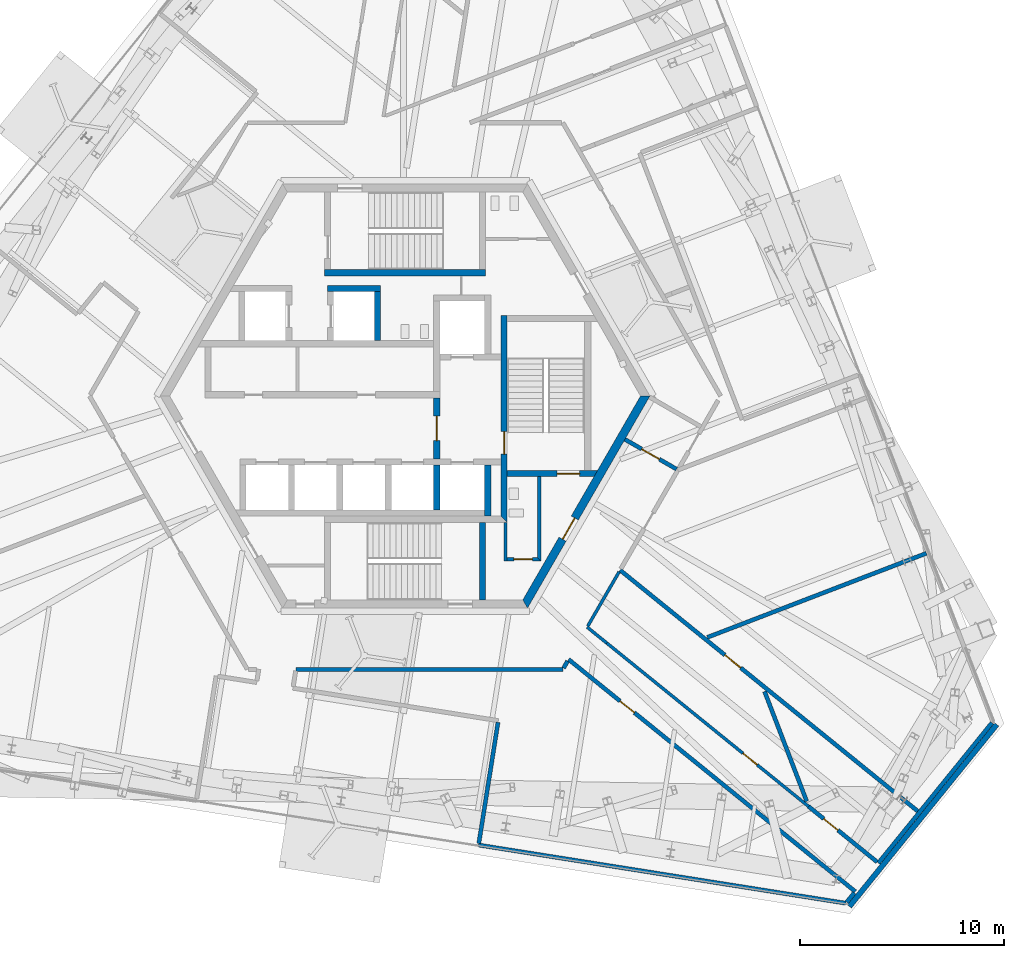
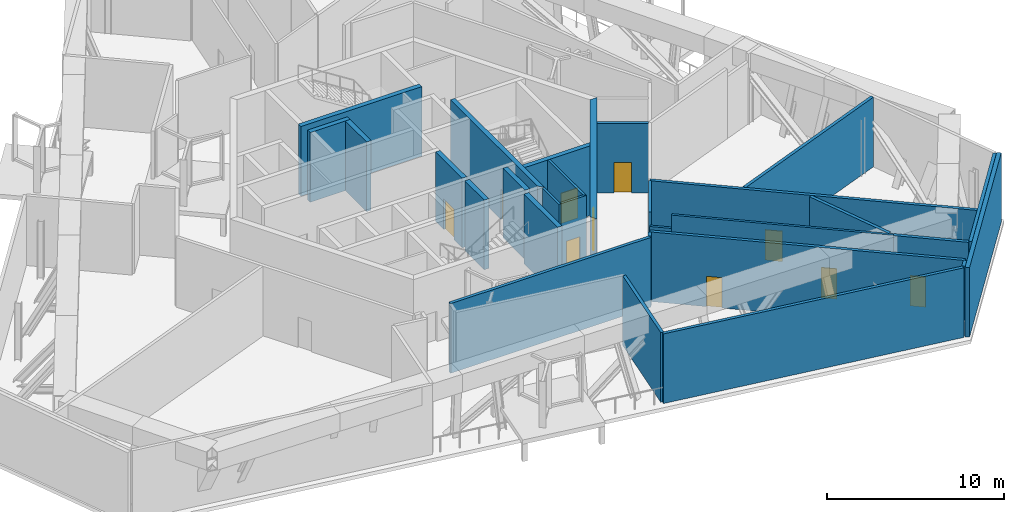
# One storey, part 9 of 14: 29 walls, 10 doors, 10 openings.
"""IFC4 building model written with IfcOpenShell, lengths in metres."""

from ifc_helpers import new_model, si_unit, direction, frame, frame_2d, origin, place, context, subcontext, project, spatial, polyline, rectangle, outline, extrude, source, transform, mapped, material, layer, layer_set, type_object, element, fill, save


model = new_model("IFC4")

# Units and contexts
model_context = context("Model", 3, precision=1e-05, world=origin(), true_north=direction((0.0, 1.0)))
body_context = subcontext(model_context, "Body", "Model", "MODEL_VIEW")
ifc_project = project(units=[si_unit("LENGTHUNIT", "METRE"), si_unit("AREAUNIT", "SQUARE_METRE"), si_unit("VOLUMEUNIT", "CUBIC_METRE"), si_unit("PLANEANGLEUNIT", "RADIAN"), si_unit("MASSUNIT", "GRAM", prefix="KILO")], contexts=[model_context])

# Site, building, storey
site_placement = place(None, origin())
site = spatial("IfcSite", under=ifc_project, at=site_placement, CompositionType="ELEMENT")
building_placement = place(site_placement, origin())
building = spatial("IfcBuilding", under=site, at=building_placement, Name="Triune Harvest Tower", CompositionType="ELEMENT")
storey_placement = place(building_placement, frame((0.0, 0.0, 174.925048828125)))
storey = spatial("IfcBuildingStorey", under=building, at=storey_placement, Name="L45", CompositionType="ELEMENT", Elevation=174.925048828125)

# Wall, opening, door
ifc_material_1 = material(Name="Concrete masonry unit", Category="masonry")
ifc_layer_1 = layer(ifc_material_1, 0.14990234375)
ifc_layer_set_1 = layer_set([ifc_layer_1], Name="Concrete masonry unit")
wall_type_1 = type_object("IfcWallType", Name="Block partition 150 unrated", PredefinedType="PARTITIONING", material=ifc_layer_set_1)
wall_1_placement = place(storey_placement, frame((5.0, -8.0, 0.0), z_axis=(0.0, 0.0, 1.0), x_axis=(1.0, 0.0, 0.0)))
wall_1 = element("IfcWall", 1, at=wall_1_placement, inside=storey, type_object=wall_type_1, Name="Wc acc south wall", PredefinedType="PARTITIONING", context=body_context, shape_type="SweptSolid", body=[
    extrude(outline(polyline([(0.0, -0.074951171875), (1.64990234375, -0.074951171875), (1.5, 0.074951171875), (0.0, 0.074951171875), (0.0, -0.074951171875)])), origin(), (0.0, 0.0, 1.0), 4.81494140625),
])
opening_1_placement = place(wall_1_placement, frame((0.33740234375, 0.0, 0.0)))
opening_1 = element("IfcOpeningElement", 2, at=opening_1_placement, cuts=wall_1, Name="Opening CD-WA", PredefinedType="OPENING", context=body_context, shape_type="SweptSolid", body=[
    extrude(rectangle(XDim=0.89990234375, YDim=2.10009765625, at=frame_2d((0.449951171875, 1.050048828125))), frame((0.0, 0.0849609375, 0.0), z_axis=(0.0, -1.0, 0.0), x_axis=(1.0, 0.0, 0.0)), (0.0, 0.0, 1.0), 0.169921875),
])
ifc_material_2 = material(Name="Timber C24", Category="wood")
door_type_1 = type_object("IfcDoorType", Name="WC door 900", OperationType="SINGLE_SWING_LEFT", PredefinedType="DOOR", material=ifc_material_2)
door_1_placement = place(opening_1_placement, origin())
door_1 = element("IfcDoor", 3, at=door_1_placement, inside=storey, type_object=door_type_1, Name="Door CD-WA", OperationType="SINGLE_SWING_LEFT", OverallHeight=2.10009765625, OverallWidth=0.89990234375, PredefinedType="DOOR", context=body_context, shape_type="SweptSolid", body=[
    extrude(rectangle(XDim=0.89990234375, YDim=2.10009765625, at=frame_2d((0.449951171875, 1.050048828125))), frame((0.0, 0.02490234375, 0.0), z_axis=(0.0, -1.0, 0.0), x_axis=(1.0, 0.0, 0.0)), (0.0, 0.0, 1.0), 0.050048828125),
])
fill(opening_1, door_1)

# Walls
wall_2_placement = place(storey_placement, frame((6.574951171875, -8.0, 0.0), z_axis=(0.0, 0.0, 1.0), x_axis=(0.0, 1.0, 0.0)))
element("IfcWall", 4, at=wall_2_placement, inside=storey, type_object=wall_type_1, Name="Wc acc east wall", PredefinedType="PARTITIONING", context=body_context, shape_type="SweptSolid", body=[
    extrude(outline(polyline([(-0.074951171875, -0.074951171875), (4.050048828125, -0.074951171875), (4.050048828125, 0.074951171875), (0.074951171875, 0.074951171875), (-0.074951171875, -0.074951171875)])), origin(), (0.0, 0.0, 1.0), 4.81494140625),
])
wall_3_placement = place(storey_placement, frame((4.925048828125, -8.074951171875, 0.0), z_axis=(0.0, 0.0, 1.0), x_axis=(0.0, 1.0, 0.0)))
element("IfcWall", 5, at=wall_3_placement, inside=storey, type_object=wall_type_1, Name="Wc acc west wall", PredefinedType="PARTITIONING", context=body_context, shape_type="SweptSolid", body=[
    extrude(rectangle(XDim=1.885009765625, YDim=0.14990234375, at=frame_2d((0.9423828125, 0.0))), origin(), (0.0, 0.0, 1.0), 4.81494140625),
])

# Wall, opening, door
ifc_material_3 = material(Name="Concrete 70 MPa", Category="concrete")
ifc_layer_2 = layer(ifc_material_3, 0.300048828125)
ifc_layer_set_2 = layer_set([ifc_layer_2], Name="Concrete 70 MPa")
wall_type_2 = type_object("IfcWallType", Name="Core wall 300", PredefinedType="SHEAR", material=ifc_layer_set_2)
wall_4_placement = place(storey_placement, frame((4.85009765625, -6.0400390625, 0.0), z_axis=(0.0, 0.0, 1.0), x_axis=(0.0, 1.0, 0.0)))
wall_4 = element("IfcWall", 6, at=wall_4_placement, inside=storey, type_object=wall_type_2, Name="Stair e west wall", PredefinedType="SHEAR", context=body_context, shape_type="SweptSolid", body=[
    extrude(outline(polyline([(-0.14990234375, -0.14990234375), (9.989990234375, -0.14990234375), (9.989990234375, 0.14990234375), (0.14990234375, 0.14990234375), (-0.14990234375, -0.14990234375)])), origin(), (0.0, 0.0, 1.0), 4.81494140625),
])
opening_2_placement = place(wall_4_placement, frame((3.18994140625, 0.0, 0.0)))
opening_2 = element("IfcOpeningElement", 7, at=opening_2_placement, cuts=wall_4, Name="Opening CD-S3L", PredefinedType="OPENING", context=body_context, shape_type="SweptSolid", body=[
    extrude(rectangle(XDim=1.10009765625, YDim=2.10009765625, at=frame_2d((0.550048828125, 1.050048828125))), frame((0.0, 0.16015625, 0.0), z_axis=(0.0, -1.0, 0.0), x_axis=(1.0, 0.0, 0.0)), (0.0, 0.0, 1.0), 0.320068359375),
])
ifc_material_4 = material(Name="Steel S235", Category="steel")
door_type_2 = type_object("IfcDoorType", Name="Stair door 1100 FD120", OperationType="SINGLE_SWING_LEFT", PredefinedType="DOOR", material=ifc_material_4)
door_2_placement = place(opening_2_placement, frame((1.10009765625, 0.0, 0.0), z_axis=(0.0, 0.0, 1.0), x_axis=(-1.0, 0.0, 0.0)))
door_2 = element("IfcDoor", 8, at=door_2_placement, inside=storey, type_object=door_type_2, Name="Door CD-S3L", OperationType="SINGLE_SWING_RIGHT", OverallHeight=2.10009765625, OverallWidth=1.10009765625, PredefinedType="DOOR", context=body_context, shape_type="SweptSolid", body=[
    extrude(rectangle(XDim=1.10009765625, YDim=2.10009765625, at=frame_2d((0.550048828125, 1.050048828125))), frame((0.0, 0.02490234375, 0.0), z_axis=(0.0, -1.0, 0.0), x_axis=(1.0, 0.0, 0.0)), (0.0, 0.0, 1.0), 0.050048828125),
])
fill(opening_2, door_2)

wall_5_placement = place(storey_placement, frame((5.0, -3.800048828125, 0.0), z_axis=(0.0, 0.0, 1.0), x_axis=(1.0, 0.0, 0.0)))
wall_5 = element("IfcWall", 9, at=wall_5_placement, inside=storey, type_object=wall_type_2, Name="Stair e south wall", PredefinedType="SHEAR", context=body_context, shape_type="SweptSolid", body=[
    extrude(outline(polyline([(0.0, -0.14990234375), (0.0, 0.14990234375), (4.43310546875, 0.14990234375), (4.260009765625, -0.14990234375), (0.0, -0.14990234375)])), origin(), (0.0, 0.0, 1.0), 4.81494140625),
])
opening_3_placement = place(wall_5_placement, frame((2.449951171875, 0.0, 0.0)))
opening_3 = element("IfcOpeningElement", 10, at=opening_3_placement, cuts=wall_5, Name="Opening CD-S3D", PredefinedType="OPENING", context=body_context, shape_type="SweptSolid", body=[
    extrude(rectangle(XDim=1.10009765625, YDim=2.10009765625, at=frame_2d((0.550048828125, 1.050048828125))), frame((0.0, 0.16015625, 0.0), z_axis=(0.0, -1.0, 0.0), x_axis=(1.0, 0.0, 0.0)), (0.0, 0.0, 1.0), 0.320068359375),
])
door_3_placement = place(opening_3_placement, frame((1.10009765625, 0.0, 0.0), z_axis=(0.0, 0.0, 1.0), x_axis=(-1.0, 0.0, 0.0)))
door_3 = element("IfcDoor", 11, at=door_3_placement, inside=storey, type_object=door_type_2, Name="Door CD-S3D", OperationType="SINGLE_SWING_RIGHT", OverallHeight=2.10009765625, OverallWidth=1.10009765625, PredefinedType="DOOR", context=body_context, shape_type="SweptSolid", body=[
    extrude(rectangle(XDim=1.10009765625, YDim=2.10009765625, at=frame_2d((0.550048828125, 1.050048828125))), frame((0.0, 0.02490234375, 0.0), z_axis=(0.0, -1.0, 0.0), x_axis=(1.0, 0.0, 0.0)), (0.0, 0.0, 1.0), 0.050048828125),
])
fill(opening_3, door_3)

# Walls
wall_6_placement = place(storey_placement, frame((-3.949951171875, 6.0400390625, 0.0), z_axis=(0.0, 0.0, 1.0), x_axis=(1.0, 0.0, 0.0)))
element("IfcWall", 12, at=wall_6_placement, inside=storey, type_object=wall_type_2, Name="Stair n south wall", PredefinedType="SHEAR", context=body_context, shape_type="SweptSolid", body=[
    extrude(rectangle(XDim=7.89990234375, YDim=0.300048828125, at=frame_2d((3.949951171875, 0.0))), origin(), (0.0, 0.0, 1.0), 4.81494140625),
])
wall_7_placement = place(storey_placement, frame((-3.800048828125, 5.260009765625, 0.0), z_axis=(0.0, 0.0, 1.0), x_axis=(1.0, 0.0, 0.0)))
element("IfcWall", 13, at=wall_7_placement, inside=storey, type_object=wall_type_2, Name="Sv2 north wall", PredefinedType="SHEAR", context=body_context, shape_type="SweptSolid", body=[
    extrude(rectangle(XDim=2.60009765625, YDim=0.300048828125, at=frame_2d((1.300048828125, 0.0))), origin(), (0.0, 0.0, 1.0), 4.81494140625),
])
ifc_material_5 = material(Name="Gypsum board on steel studs", Category="steel")
ifc_layer_3 = layer(ifc_material_5, 0.14990234375)
ifc_layer_set_3 = layer_set([ifc_layer_3], Name="Gypsum board on steel studs")
wall_type_3 = type_object("IfcWallType", Name="Fire Partition 150 mm", PredefinedType="PARTITIONING", material=ifc_layer_set_3)
wall_8_placement = place(storey_placement, frame((8.923828125, -11.327880859375, 0.0), z_axis=(0.0, 0.0, 1.0), x_axis=(0.777148595754, -0.62931713795, 0.0)))
element("IfcWall", 14, at=wall_8_placement, inside=storey, type_object=wall_type_3, Name="Partition L45 013", PredefinedType="PARTITIONING", context=body_context, shape_type="SweptSolid", body=[
    extrude(rectangle(XDim=1.240234375, YDim=0.14990234375, at=frame_2d((0.6201171875, 0.0))), origin(), (0.0, 0.0, 1.0), 3.89306640625),
])

# Wall, opening, door
wall_9_placement = place(storey_placement, frame((9.8876953125, -12.1083984375, 0.0), z_axis=(0.0, 0.0, 1.0), x_axis=(0.777151499556, -0.629313552005, 0.0)))
wall_9 = element("IfcWall", 15, at=wall_9_placement, inside=storey, type_object=wall_type_3, Name="Partition L45 013a", PredefinedType="PARTITIONING", context=body_context, shape_type="SweptSolid", body=[
    extrude(rectangle(XDim=12.727294921875, YDim=0.14990234375, at=frame_2d((6.36376953125, 0.0))), origin(), (0.0, 0.0, 1.0), 4.81494140625),
])
opening_4_placement = place(wall_9_placement, frame((8.583251953125, 0.0, 0.0)))
opening_4 = element("IfcOpeningElement", 16, at=opening_4_placement, cuts=wall_9, Name="Opening L45-014", PredefinedType="OPENING", context=body_context, shape_type="SweptSolid", body=[
    extrude(rectangle(XDim=0.89990234375, YDim=2.10009765625, at=frame_2d((0.449951171875, 1.050048828125))), frame((0.0, 0.0849609375, 0.0), z_axis=(0.0, -1.0, 0.0), x_axis=(1.0, 0.0, 0.0)), (0.0, 0.0, 1.0), 0.169921875),
])
ifc_material_6 = material(Name="Timber and steel door set", Category="steel")
door_type_3 = type_object("IfcDoorType", Name="Single leaf door FD30 right hand 900 x 2100", OperationType="SINGLE_SWING_RIGHT", PredefinedType="DOOR", material=ifc_material_6)
door_4_placement = place(opening_4_placement, origin())
door_4 = element("IfcDoor", 17, at=door_4_placement, inside=storey, type_object=door_type_3, Name="Door L45-014 Dry Store Room 45.14", OperationType="SINGLE_SWING_RIGHT", OverallHeight=2.10009765625, OverallWidth=0.89990234375, PredefinedType="DOOR", context=body_context, shape_type="SweptSolid", body=[
    extrude(rectangle(XDim=0.89990234375, YDim=2.10009765625, at=frame_2d((0.449951171875, 1.050048828125))), frame((0.0, 0.02490234375, 0.0), z_axis=(0.0, -1.0, 0.0), x_axis=(1.0, 0.0, 0.0)), (0.0, 0.0, 1.0), 0.050048828125),
])
fill(opening_4, door_4)

# Walls
wall_10_placement = place(storey_placement, frame((8.948974609375, -11.284423828125, 0.0), z_axis=(0.0, 0.0, 1.0), x_axis=(0.500012508461, 0.866018181901, 0.0)))
element("IfcWall", 18, at=wall_10_placement, inside=storey, type_object=wall_type_3, Name="Partition L45 049", PredefinedType="PARTITIONING", context=body_context, shape_type="SweptSolid", body=[
    extrude(rectangle(XDim=3.08447265625, YDim=0.14990234375, at=frame_2d((1.542236328125, 0.0))), origin(), (0.0, 0.0, 1.0), 4.81494140625),
])
ifc_material_7 = material(Name="Gypsum board on steel studs", Category="steel")
ifc_layer_4 = layer(ifc_material_7, 0.199951171875)
ifc_layer_set_4 = layer_set([ifc_layer_4], Name="Gypsum board on steel studs")
wall_type_4 = type_object("IfcWallType", Name="Fire Wall 200 mm", PredefinedType="PARTITIONING", material=ifc_layer_set_4)
wall_11_placement = place(storey_placement, frame((17.6171875, -14.478515625, 0.0), z_axis=(0.0, 0.0, 1.0), x_axis=(0.358371685438, -0.933578992414, 0.0)))
element("IfcWall", 19, at=wall_11_placement, inside=storey, type_object=wall_type_4, Name="Partition L45 003", PredefinedType="PARTITIONING", context=body_context, shape_type="SweptSolid", body=[
    extrude(rectangle(XDim=5.7646484375, YDim=0.199951171875, at=frame_2d((2.88232421875, 0.0))), origin(), (0.0, 0.0, 1.0), 4.81494140625),
])

# Wall, opening, door
wall_12_placement = place(storey_placement, frame((8.012451171875, -12.906494140625, 0.0), z_axis=(0.0, 0.0, 1.0), x_axis=(0.777145174853, -0.629321362424, 0.0)))
wall_12 = element("IfcWall", 20, at=wall_12_placement, inside=storey, type_object=wall_type_4, Name="Partition L45 012", PredefinedType="PARTITIONING", context=body_context, shape_type="SweptSolid", body=[
    extrude(rectangle(XDim=18.07958984375, YDim=0.199951171875, at=frame_2d((9.039794921875, 0.0))), origin(), (0.0, 0.0, 1.0), 4.81494140625),
])
opening_5_placement = place(wall_12_placement, frame((3.25, 0.0, 0.0)))
opening_5 = element("IfcOpeningElement", 21, at=opening_5_placement, cuts=wall_12, Name="Opening L45-013", PredefinedType="OPENING", context=body_context, shape_type="SweptSolid", body=[
    extrude(rectangle(XDim=0.89990234375, YDim=2.10009765625, at=frame_2d((0.449951171875, 1.050048828125))), frame((0.0, 0.10986328125, 0.0), z_axis=(0.0, -1.0, 0.0), x_axis=(1.0, 0.0, 0.0)), (0.0, 0.0, 1.0), 0.219970703125),
])
ifc_material_8 = material(Name="Timber and steel door set", Category="steel")
door_type_4 = type_object("IfcDoorType", Name="Single leaf door FD60 right hand 900 x 2100", OperationType="SINGLE_SWING_RIGHT", PredefinedType="DOOR", material=ifc_material_8)
door_5_placement = place(opening_5_placement, origin())
door_5 = element("IfcDoor", 22, at=door_5_placement, inside=storey, type_object=door_type_4, Name="Door L45-013 Chiller Plant Room 45.13", OperationType="SINGLE_SWING_RIGHT", OverallHeight=2.10009765625, OverallWidth=0.89990234375, PredefinedType="DOOR", context=body_context, shape_type="SweptSolid", body=[
    extrude(rectangle(XDim=0.89990234375, YDim=2.10009765625, at=frame_2d((0.449951171875, 1.050048828125))), frame((0.0, 0.02490234375, 0.0), z_axis=(0.0, -1.0, 0.0), x_axis=(1.0, 0.0, 0.0)), (0.0, 0.0, 1.0), 0.050048828125),
])
fill(opening_5, door_5)

wall_13_placement = place(storey_placement, frame((19.77880859375, -20.117919921875, 0.0), z_axis=(0.0, 0.0, 1.0), x_axis=(0.777092088875, -0.629386912326, 0.0)))
wall_13 = element("IfcWall", 23, at=wall_13_placement, inside=storey, type_object=wall_type_4, Name="Partition L45 014", PredefinedType="PARTITIONING", context=body_context, shape_type="SweptSolid", body=[
    extrude(rectangle(XDim=4.3173828125, YDim=0.199951171875, at=frame_2d((2.15869140625, 0.0))), origin(), (0.0, 0.0, 1.0), 4.81494140625),
])
opening_6_placement = place(wall_13_placement, frame((0.947265625, 0.0, 0.0)))
opening_6 = element("IfcOpeningElement", 24, at=opening_6_placement, cuts=wall_13, Name="Opening L45-015", PredefinedType="OPENING", context=body_context, shape_type="SweptSolid", body=[
    extrude(rectangle(XDim=0.89990234375, YDim=2.10009765625, at=frame_2d((0.449951171875, 1.050048828125))), frame((0.0, 0.10986328125, 0.0), z_axis=(0.0, -1.0, 0.0), x_axis=(1.0, 0.0, 0.0)), (0.0, 0.0, 1.0), 0.219970703125),
])
ifc_material_9 = material(Name="Timber and steel door set", Category="steel")
door_type_5 = type_object("IfcDoorType", Name="Single leaf door FD60 left hand 900 x 2100", OperationType="SINGLE_SWING_LEFT", PredefinedType="DOOR", material=ifc_material_9)
door_6_placement = place(opening_6_placement, origin())
door_6 = element("IfcDoor", 25, at=door_6_placement, inside=storey, type_object=door_type_5, Name="Door L45-015 Generator Plant Room 45.15", OperationType="SINGLE_SWING_LEFT", OverallHeight=2.10009765625, OverallWidth=0.89990234375, PredefinedType="DOOR", context=body_context, shape_type="SweptSolid", body=[
    extrude(rectangle(XDim=0.89990234375, YDim=2.10009765625, at=frame_2d((0.449951171875, 1.050048828125))), frame((0.0, 0.02490234375, 0.0), z_axis=(0.0, -1.0, 0.0), x_axis=(1.0, 0.0, 0.0)), (0.0, 0.0, 1.0), 0.050048828125),
])
fill(opening_6, door_6)

wall_14_placement = place(storey_placement, frame((10.53759765625, -8.533203125, 0.0), z_axis=(0.0, 0.0, 1.0), x_axis=(0.777143923602, -0.629322907583, 0.0)))
wall_14 = element("IfcWall", 26, at=wall_14_placement, inside=storey, type_object=wall_type_4, Name="Partition L45 015", PredefinedType="PARTITIONING", context=body_context, shape_type="SweptSolid", body=[
    extrude(rectangle(XDim=18.869384765625, YDim=0.199951171875, at=frame_2d((9.4345703125, 0.0))), origin(), (0.0, 0.0, 1.0), 4.81494140625),
])
opening_7_placement = place(wall_14_placement, frame((6.607421875, 0.0, 0.0)))
opening_7 = element("IfcOpeningElement", 27, at=opening_7_placement, cuts=wall_14, Name="Opening L45-001", PredefinedType="OPENING", context=body_context, shape_type="SweptSolid", body=[
    extrude(rectangle(XDim=1.0, YDim=2.10009765625, at=frame_2d((0.5, 1.050048828125))), frame((0.0, 0.10986328125, 0.0), z_axis=(0.0, -1.0, 0.0), x_axis=(1.0, 0.0, 0.0)), (0.0, 0.0, 1.0), 0.219970703125),
])
ifc_material_10 = material(Name="Timber and steel door set", Category="steel")
door_type_6 = type_object("IfcDoorType", Name="Wide single leaf door FD60 left hand 1000 x 2100", OperationType="SINGLE_SWING_LEFT", PredefinedType="DOOR", material=ifc_material_10)
door_7_placement = place(opening_7_placement, origin())
door_7 = element("IfcDoor", 28, at=door_7_placement, inside=storey, type_object=door_type_6, Name="Door L45-001 Plant room 45.01", OperationType="SINGLE_SWING_LEFT", OverallHeight=2.10009765625, OverallWidth=1.0, PredefinedType="DOOR", context=body_context, shape_type="SweptSolid", body=[
    extrude(rectangle(XDim=1.0, YDim=2.10009765625, at=frame_2d((0.5, 1.050048828125))), frame((0.0, 0.02490234375, 0.0), z_axis=(0.0, -1.0, 0.0), x_axis=(1.0, 0.0, 0.0)), (0.0, 0.0, 1.0), 0.050048828125),
])
fill(opening_7, door_7)

# Walls
wall_15_placement = place(storey_placement, frame((3.60205078125, -22.005126953125, 0.0), z_axis=(0.0, 0.0, 1.0), x_axis=(0.987688877406, -0.156431075712, 0.0)))
element("IfcWall", 29, at=wall_15_placement, inside=storey, type_object=wall_type_4, Name="Partition L45 022", PredefinedType="PARTITIONING", context=body_context, shape_type="SweptSolid", body=[
    extrude(rectangle(XDim=18.22265625, YDim=0.199951171875, at=frame_2d((9.111328125, 0.0))), origin(), (0.0, 0.0, 1.0), 4.81494140625),
])
wall_16_placement = place(storey_placement, frame((-5.348388671875, -13.392333984375, 0.0), z_axis=(0.0, 0.0, 1.0), x_axis=(1.0, 0.0, 0.0)))
element("IfcWall", 30, at=wall_16_placement, inside=storey, type_object=wall_type_4, Name="Partition L45 028", PredefinedType="PARTITIONING", context=body_context, shape_type="SweptSolid", body=[
    extrude(rectangle(XDim=13.08056640625, YDim=0.199951171875, at=frame_2d((6.540283203125, 0.0))), origin(), (0.0, 0.0, 1.0), 4.81494140625),
])
wall_17_placement = place(storey_placement, frame((14.81201171875, -11.827392578125, 0.0), z_axis=(0.0, 0.0, 1.0), x_axis=(0.933580116822, 0.358368756275, 0.0)))
element("IfcWall", 31, at=wall_17_placement, inside=storey, type_object=wall_type_4, Name="Partition L45 031", PredefinedType="PARTITIONING", context=body_context, shape_type="SweptSolid", body=[
    extrude(rectangle(XDim=11.5009765625, YDim=0.199951171875, at=frame_2d((5.75048828125, 0.0))), origin(), (0.0, 0.0, 1.0), 4.81494140625),
])
wall_18_placement = place(storey_placement, frame((21.64453125, -24.801513671875, 0.0), z_axis=(0.0, 0.0, 1.0), x_axis=(0.629389173062, 0.777090257841, 0.0)))
element("IfcWall", 32, at=wall_18_placement, inside=storey, type_object=wall_type_4, Name="Partition L45 042", PredefinedType="PARTITIONING", context=body_context, shape_type="SweptSolid", body=[
    extrude(rectangle(XDim=0.58837890625, YDim=0.199951171875, at=frame_2d((0.294189453125, 0.0))), origin(), (0.0, 0.0, 1.0), 4.81494140625),
])
wall_19_placement = place(storey_placement, frame((23.194091796875, -22.8876953125, 0.0), z_axis=(0.0, 0.0, 1.0), x_axis=(0.629330052681, 0.777138137523, 0.0)))
element("IfcWall", 33, at=wall_19_placement, inside=storey, type_object=wall_type_4, Name="Partition L45 043", PredefinedType="PARTITIONING", context=body_context, shape_type="SweptSolid", body=[
    extrude(rectangle(XDim=8.843505859375, YDim=0.199951171875, at=frame_2d((4.421875, 0.0))), origin(), (0.0, 0.0, 1.0), 4.81494140625),
])

# Wall, opening, door
ifc_material_11 = material(Name="Concrete 70 MPa", Category="concrete")
ifc_layer_5 = layer(ifc_material_11, 0.39990234375)
ifc_layer_set_5 = layer_set([ifc_layer_5], Name="Concrete 70 MPa")
wall_type_5 = type_object("IfcWallType", Name="Core wall 400", PredefinedType="SHEAR", material=ifc_layer_set_5)
shared_shape_1 = source(origin(), body_context, "Body", "SweptSolid", [
    extrude(outline(polyline([(-0.115478515625, -0.199951171875), (11.884521484375, -0.199951171875), (11.653564453125, 0.199951171875), (0.115478515625, 0.199951171875), (-0.115478515625, -0.199951171875)])), origin(), (0.0, 0.0, 1.0), 4.81494140625),
])
wall_20_placement = place(storey_placement, frame((5.884521484375, -10.1923828125, 0.0), z_axis=(0.0, 0.0, 1.0), x_axis=(0.499996592174, 0.866027371285, 0.0)))
wall_20 = element("IfcWall", 34, at=wall_20_placement, inside=storey, type_object=wall_type_5, Name="Hexagon 5 wall", PredefinedType="SHEAR", context=body_context, shape_type="MappedRepresentation", body=[
    mapped(shared_shape_1, transform((0.0, 0.0, 0.0), scale=1.0)),
])
opening_8_placement = place(wall_20_placement, frame((3.66455078125, 0.0, 0.0)))
opening_8 = element("IfcOpeningElement", 35, at=opening_8_placement, cuts=wall_20, Name="Opening CD-DP", PredefinedType="OPENING", context=body_context, shape_type="SweptSolid", body=[
    extrude(rectangle(XDim=1.199951171875, YDim=2.10009765625, at=frame_2d((0.60009765625, 1.050048828125))), frame((0.0, 0.2099609375, 0.0), z_axis=(0.0, -1.0, 0.0), x_axis=(1.0, 0.0, 0.0)), (0.0, 0.0, 1.0), 0.419921875),
])
ifc_material_12 = material(Name="Steel S235", Category="steel")
door_type_7 = type_object("IfcDoorType", Name="Stair door 1200 FD120", OperationType="SINGLE_SWING_LEFT", PredefinedType="DOOR", material=ifc_material_12)
door_8_placement = place(opening_8_placement, frame((1.199951171875, 0.0, 0.0), z_axis=(0.0, 0.0, 1.0), x_axis=(-1.0, 0.0, 0.0)))
door_8 = element("IfcDoor", 36, at=door_8_placement, inside=storey, type_object=door_type_7, Name="Door CD-DP", OperationType="SINGLE_SWING_RIGHT", OverallHeight=2.10009765625, OverallWidth=1.199951171875, PredefinedType="DOOR", context=body_context, shape_type="SweptSolid", body=[
    extrude(rectangle(XDim=1.199951171875, YDim=2.10009765625, at=frame_2d((0.60009765625, 1.050048828125))), frame((0.0, 0.02490234375, 0.0), z_axis=(0.0, -1.0, 0.0), x_axis=(1.0, 0.0, 0.0)), (0.0, 0.0, 1.0), 0.050048828125),
])
fill(opening_8, door_8)

# Wall
shared_shape_2 = source(origin(), body_context, "Body", "SweptSolid", [
    extrude(rectangle(XDim=2.5, YDim=0.300048828125, at=frame_2d((1.25, 0.0))), origin(), (0.0, 0.0, 1.0), 4.81494140625),
])
wall_21_placement = place(storey_placement, frame((4.050048828125, -5.889892578125, 0.0), z_axis=(0.0, 0.0, 1.0), x_axis=(0.0, 1.0, 0.0)))
element("IfcWall", 37, at=wall_21_placement, inside=storey, type_object=wall_type_2, Name="Ff2 east wall", PredefinedType="SHEAR", context=body_context, shape_type="MappedRepresentation", body=[
    mapped(shared_shape_2, transform((0.0, 0.0, 0.0), scale=1.0)),
])

# Wall, opening, door
shared_shape_3 = source(origin(), body_context, "Body", "SweptSolid", [
    extrude(rectangle(XDim=3.0, YDim=0.300048828125, at=frame_2d((1.5, 0.0))), origin(), (0.0, 0.0, 1.0), 4.81494140625),
])
wall_22_placement = place(storey_placement, frame((1.550048828125, -3.090087890625, 0.0), z_axis=(0.0, 0.0, 1.0), x_axis=(0.0, 1.0, 0.0)))
wall_22 = element("IfcWall", 38, at=wall_22_placement, inside=storey, type_object=wall_type_2, Name="Ff lobby west wall", PredefinedType="SHEAR", context=body_context, shape_type="MappedRepresentation", body=[
    mapped(shared_shape_3, transform((0.0, 0.0, 0.0), scale=1.0)),
])
opening_9_placement = place(wall_22_placement, frame((0.89990234375, 0.0, 0.0)))
opening_9 = element("IfcOpeningElement", 39, at=opening_9_placement, cuts=wall_22, Name="Opening CD-FL", PredefinedType="OPENING", context=body_context, shape_type="SweptSolid", body=[
    extrude(rectangle(XDim=1.199951171875, YDim=2.10009765625, at=frame_2d((0.60009765625, 1.050048828125))), frame((0.0, 0.16015625, 0.0), z_axis=(0.0, -1.0, 0.0), x_axis=(1.0, 0.0, 0.0)), (0.0, 0.0, 1.0), 0.320068359375),
])
ifc_material_13 = material(Name="Steel S235", Category="steel")
door_type_8 = type_object("IfcDoorType", Name="Firefighters' lobby door 1200 FD120", OperationType="SINGLE_SWING_LEFT", PredefinedType="DOOR", material=ifc_material_13)
door_9_placement = place(opening_9_placement, frame((1.199951171875, 0.0, 0.0), z_axis=(0.0, 0.0, 1.0), x_axis=(-1.0, 0.0, 0.0)))
door_9 = element("IfcDoor", 40, at=door_9_placement, inside=storey, type_object=door_type_8, Name="Door CD-FL", OperationType="SINGLE_SWING_RIGHT", OverallHeight=2.10009765625, OverallWidth=1.199951171875, PredefinedType="DOOR", context=body_context, shape_type="SweptSolid", body=[
    extrude(rectangle(XDim=1.199951171875, YDim=2.10009765625, at=frame_2d((0.60009765625, 1.050048828125))), frame((0.0, 0.02490234375, 0.0), z_axis=(0.0, -1.0, 0.0), x_axis=(1.0, 0.0, 0.0)), (0.0, 0.0, 1.0), 0.050048828125),
])
fill(opening_9, door_9)

# Walls
shared_shape_4 = source(origin(), body_context, "Body", "SweptSolid", [
    extrude(rectangle(XDim=2.2001953125, YDim=0.300048828125, at=frame_2d((1.10009765625, 0.0))), origin(), (0.0, 0.0, 1.0), 4.81494140625),
])
wall_23_placement = place(storey_placement, frame((1.550048828125, -5.590087890625, 0.0), z_axis=(0.0, 0.0, 1.0), x_axis=(0.0, 1.0, 0.0)))
element("IfcWall", 41, at=wall_23_placement, inside=storey, type_object=wall_type_2, Name="Ff2 west wall", PredefinedType="SHEAR", context=body_context, shape_type="MappedRepresentation", body=[
    mapped(shared_shape_4, transform((0.0, 0.0, 0.0), scale=1.0)),
])
shared_shape_5 = source(origin(), body_context, "Body", "SweptSolid", [
    extrude(outline(polyline([(3.800048828125, -0.14990234375), (-0.00439453125, -0.14990234375), (-0.00439453125, 0.14990234375), (3.800048828125, 0.14990234375), (3.800048828125, -0.14990234375)])), origin(), (0.0, 0.0, 1.0), 4.81494140625),
])
wall_24_placement = place(storey_placement, frame((3.800048828125, -9.989990234375, 0.0), z_axis=(0.0, 0.0, 1.0), x_axis=(0.0, 1.0, 0.0)))
element("IfcWall", 42, at=wall_24_placement, inside=storey, type_object=wall_type_2, Name="Stair s east wall", PredefinedType="SHEAR", context=body_context, shape_type="MappedRepresentation", body=[
    mapped(shared_shape_5, transform((0.0, 0.0, 0.0), scale=1.0)),
])
shared_shape_6 = source(origin(), body_context, "Body", "SweptSolid", [
    extrude(rectangle(XDim=2.400146484375, YDim=0.300048828125, at=frame_2d((1.2001953125, 0.0))), origin(), (0.0, 0.0, 1.0), 4.81494140625),
])
wall_25_placement = place(storey_placement, frame((-1.35009765625, 2.7099609375, 0.0), z_axis=(0.0, 0.0, 1.0), x_axis=(0.0, 1.0, 0.0)))
element("IfcWall", 43, at=wall_25_placement, inside=storey, type_object=wall_type_2, Name="Sv2 east wall", PredefinedType="SHEAR", context=body_context, shape_type="MappedRepresentation", body=[
    mapped(shared_shape_6, transform((0.0, 0.0, 0.0), scale=1.0)),
])
ifc_material_14 = material(Name="Aluminium bronze anodised", Category="aluminium")
ifc_layer_6 = layer(ifc_material_14, 0.260009765625)
ifc_layer_set_6 = layer_set([ifc_layer_6], Name="Aluminium bronze anodised")
wall_type_6 = type_object("IfcWallType", Name="LW-1 plant louvre wall", PredefinedType="ELEMENTEDWALL", material=ifc_layer_set_6)
shared_shape_7 = source(origin(), body_context, "Body", "SweptSolid", [
    extrude(rectangle(XDim=11.4736328125, YDim=0.260009765625, at=frame_2d((5.73681640625, 0.0))), origin(), (0.0, 0.0, 1.0), 4.81494140625),
])
wall_26_placement = place(storey_placement, frame((21.7744140625, -25.014404296875, 0.0), z_axis=(0.0, 0.0, 1.0), x_axis=(0.629334110223, 0.777134851689, 0.0)))
element("IfcWall", 44, at=wall_26_placement, inside=storey, type_object=wall_type_6, Name="LW-1 plant louvre wall B4-F6 L45", PredefinedType="ELEMENTEDWALL", context=body_context, shape_type="MappedRepresentation", body=[
    mapped(shared_shape_7, transform((0.0, 0.0, 0.0), scale=1.0)),
])
shared_shape_8 = source(origin(), body_context, "Body", "SweptSolid", [
    extrude(rectangle(XDim=6.013671875, YDim=0.199951171875, at=frame_2d((3.0068359375, 0.0))), origin(), (0.0, 0.0, 1.0), 4.81494140625),
])
wall_27_placement = place(storey_placement, frame((3.614013671875, -21.92919921875, 0.0), z_axis=(0.0, 0.0, 1.0), x_axis=(0.156421195839, 0.987690442139, 0.0)))
element("IfcWall", 45, at=wall_27_placement, inside=storey, type_object=wall_type_4, Name="Partition L45 053", PredefinedType="PARTITIONING", context=body_context, shape_type="MappedRepresentation", body=[
    mapped(shared_shape_8, transform((0.0, 0.0, 0.0), scale=1.0)),
])

# Wall, opening, door
shared_shape_9 = source(origin(), body_context, "Body", "SweptSolid", [
    extrude(rectangle(XDim=2.919921875, YDim=0.199951171875, at=frame_2d((1.4599609375, 0.0))), origin(), (0.0, 0.0, 1.0), 4.81494140625),
])
wall_28_placement = place(storey_placement, frame((10.77392578125, -2.12353515625, 0.0), z_axis=(0.0, 0.0, 1.0), x_axis=(0.866032430508, -0.49998782916, 0.0)))
wall_28 = element("IfcWall", 46, at=wall_28_placement, inside=storey, type_object=wall_type_4, Name="Partition L45 019", PredefinedType="PARTITIONING", context=body_context, shape_type="MappedRepresentation", body=[
    mapped(shared_shape_9, transform((0.0, 0.0, 0.0), scale=1.0)),
])
opening_10_placement = place(wall_28_placement, frame((0.949951171875, 0.0, 0.0)))
opening_10 = element("IfcOpeningElement", 47, at=opening_10_placement, cuts=wall_28, Name="Opening L45-016", PredefinedType="OPENING", context=body_context, shape_type="SweptSolid", body=[
    extrude(rectangle(XDim=1.0, YDim=2.10009765625, at=frame_2d((0.5, 1.050048828125))), frame((0.0, 0.10986328125, 0.0), z_axis=(0.0, -1.0, 0.0), x_axis=(1.0, 0.0, 0.0)), (0.0, 0.0, 1.0), 0.219970703125),
])
door_10_placement = place(opening_10_placement, origin())
door_10 = element("IfcDoor", 48, at=door_10_placement, inside=storey, type_object=door_type_6, Name="Door L45-016 Refuge Lobby 45.16", OperationType="SINGLE_SWING_LEFT", OverallHeight=2.10009765625, OverallWidth=1.0, PredefinedType="DOOR", context=body_context, shape_type="SweptSolid", body=[
    extrude(rectangle(XDim=1.0, YDim=2.10009765625, at=frame_2d((0.5, 1.050048828125))), frame((0.0, 0.02490234375, 0.0), z_axis=(0.0, -1.0, 0.0), x_axis=(1.0, 0.0, 0.0)), (0.0, 0.0, 1.0), 0.050048828125),
])
fill(opening_10, door_10)

# Wall
shared_shape_10 = source(origin(), body_context, "Body", "SweptSolid", [
    extrude(rectangle(XDim=0.391357421875, YDim=0.199951171875, at=frame_2d((0.19580078125, 0.0))), origin(), (0.0, 0.0, 1.0), 4.81494140625),
])
wall_29_placement = place(storey_placement, frame((7.766357421875, -13.3330078125, 0.0), z_axis=(0.0, 0.0, 1.0), x_axis=(0.499830490961, 0.866123247757, 0.0)))
element("IfcWall", 49, at=wall_29_placement, inside=storey, type_object=wall_type_4, Name="Partition L45 048", PredefinedType="PARTITIONING", context=body_context, shape_type="MappedRepresentation", body=[
    mapped(shared_shape_10, transform((0.0, 0.0, 0.0), scale=1.0)),
])

save(model, "model.ifc")
